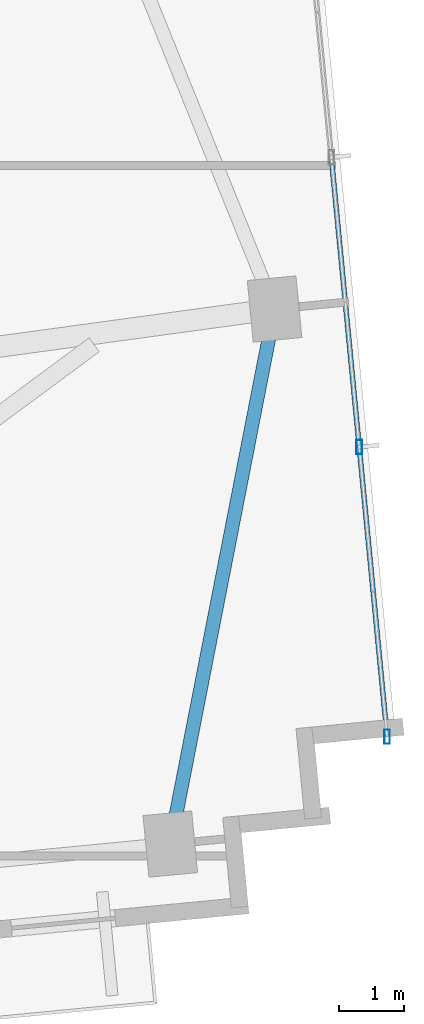
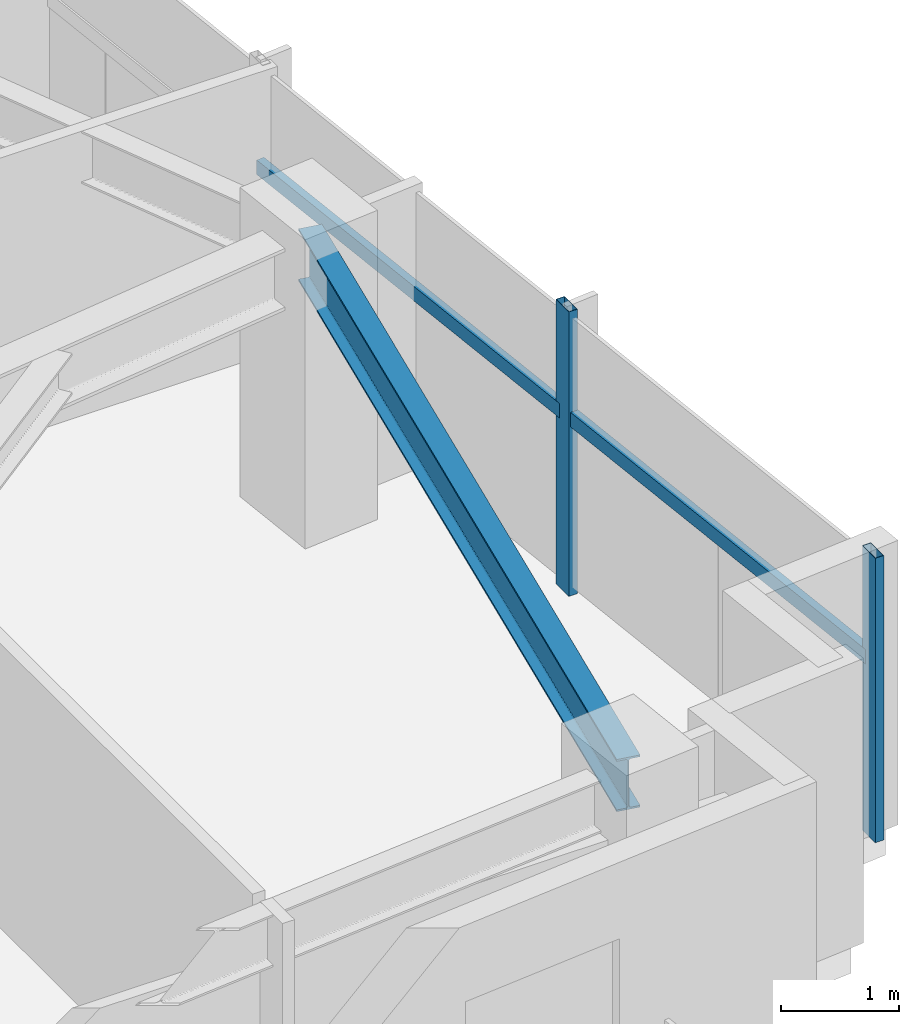
# One storey, part 10 of 18: 4 members, 1 beam, 1 element without a shape of its own.
"""IFC4 building model written with IfcOpenShell, lengths in metres."""

import ifcopenshell
import ifcopenshell.guid

model = None  # the IFC model being written
_history = None  # IfcOwnerHistory: only IFC2X3 demands one
_inside = {}  # id of a spatial element -> (the spatial element, [elements in it])
_under = {}  # id of a project, library or spatial element -> (it, [spatial elements below it])
_declared = {}  # id of a project -> (the project, [libraries it declares])
_typed = {}  # id of a type object -> (the type object, [elements of that type])
_made_of = {}  # id of a material, layer set ... -> (it, [elements and type objects made of it])


def new_model(schema):
    """Start an empty IFC model of exactly this schema.

    Asked for "IFC4X3", IfcOpenShell would pick the latest addendum, in which some entities
    have other attributes; the version numbers below select the first issue.
    IFC2X3 requires an IfcOwnerHistory on every rooted entity: one is made here for all.
    """
    global model, _history
    if schema == "IFC4X3":
        model = ifcopenshell.file(schema_version=(4, 3, 0, 0))
    else:
        model = ifcopenshell.file(schema=schema)
    _inside.clear()
    _under.clear()
    _declared.clear()
    _typed.clear()
    _made_of.clear()
    _history = None
    if model.schema == "IFC2X3":
        org = make("IfcOrganization", Name="unknown")
        user = make(
            "IfcPersonAndOrganization",
            ThePerson=make("IfcPerson", FamilyName="unknown"),
            TheOrganization=org,
        )
        app = make(
            "IfcApplication",
            ApplicationDeveloper=org,
            Version="unknown",
            ApplicationFullName="unknown",
            ApplicationIdentifier="unknown",
        )
        _history = make(
            "IfcOwnerHistory",
            OwningUser=user,
            OwningApplication=app,
            ChangeAction="ADDED",
            CreationDate=0,
        )
    return model


def make(cls, **values):
    """One entity of the class cls with the attributes given. An attribute that is None is left unset."""
    return model.create_entity(
        cls, **{name: value for name, value in values.items() if value is not None}
    )


def rooted(cls, **values):
    """An entity with a GlobalId (a new one), such as an element, a storey or a relation."""
    return make(cls, GlobalId=ifcopenshell.guid.new(), OwnerHistory=_history, **values)


def si_unit(unit_type, name, prefix=None):
    """IfcSIUnit, for example si_unit("LENGTHUNIT", "METRE", prefix="MILLI")."""
    return make("IfcSIUnit", UnitType=unit_type, Prefix=prefix, Name=name)


def assignment(units):
    """IfcUnitAssignment: the units of a project."""
    return None if units is None else make("IfcUnitAssignment", Units=units)


def point(xyz):
    """IfcCartesianPoint."""
    return None if xyz is None else make("IfcCartesianPoint", Coordinates=xyz)


def direction(xyz):
    """IfcDirection."""
    return None if xyz is None else make("IfcDirection", DirectionRatios=xyz)


def frame(location, z_axis=None, x_axis=None):
    """IfcAxis2Placement3D, a coordinate frame: its origin and axes. An axis left out is left unset."""
    return make(
        "IfcAxis2Placement3D",
        Location=point(location),
        Axis=direction(z_axis),
        RefDirection=direction(x_axis),
    )


def frame_2d(location, x_axis=None):
    """IfcAxis2Placement2D, a coordinate frame in the plane: its origin and x axis."""
    return make(
        "IfcAxis2Placement2D", Location=point(location), RefDirection=direction(x_axis)
    )


def origin():
    """The frame at (0, 0, 0) with its axes left unset."""
    return frame((0.0, 0.0, 0.0))


def origin_2d():
    """The frame at (0, 0) in the plane with its x axis left unset."""
    return frame_2d((0.0, 0.0))


def place(relative_to, where):
    """IfcLocalPlacement: puts the frame where relative to a parent placement (None: the world)."""
    return make(
        "IfcLocalPlacement", PlacementRelTo=relative_to, RelativePlacement=where
    )


def context(
    kind, dimensions, precision=None, world=None, true_north=None, identifier=None
):
    """IfcGeometricRepresentationContext, for example the 3D "Model" context."""
    return make(
        "IfcGeometricRepresentationContext",
        ContextIdentifier=identifier,
        ContextType=kind,
        CoordinateSpaceDimension=dimensions,
        Precision=precision,
        WorldCoordinateSystem=world,
        TrueNorth=true_north,
    )


def subcontext(parent, identifier, kind, view, scale=None):
    """IfcGeometricRepresentationSubContext, for example "Body" below "Model"."""
    return make(
        "IfcGeometricRepresentationSubContext",
        ContextIdentifier=identifier,
        ContextType=kind,
        ParentContext=parent,
        TargetScale=scale,
        TargetView=view,
    )


def project(units=None, contexts=None):
    """IfcProject with its units and contexts."""
    return rooted(
        "IfcProject",
        Name="project",
        RepresentationContexts=contexts,
        UnitsInContext=assignment(units),
    )


def spatial(cls, under=None, at=None, **own):
    """A site, building, storey or space (cls), placed at a placement, below another one or the project."""
    s = rooted(cls, ObjectPlacement=at, **own)
    if under is not None:
        _under.setdefault(under.id(), (under, []))[1].append(s)
    return s


def profile(cls, at=None, kind="AREA", **sizes):
    """A parametric profile (cls). Its sizes go by their IFC names, for example OverallWidth=200.0."""
    return make(cls, ProfileType=kind, Position=at, **sizes)


def hollow_rectangle(**sizes):
    """IfcRectangleHollowProfileDef."""
    return profile("IfcRectangleHollowProfileDef", **sizes)


def i_section(**sizes):
    """IfcIShapeProfileDef."""
    return profile("IfcIShapeProfileDef", **sizes)


def extrude(swept, where, along, depth):
    """IfcExtrudedAreaSolid: the profile swept, set in the frame where, extruded along a direction by depth."""
    return make(
        "IfcExtrudedAreaSolid",
        SweptArea=swept,
        Position=where,
        ExtrudedDirection=direction(along),
        Depth=depth,
    )


def shape(context_of_items, identifier, shape_type, items):
    """IfcShapeRepresentation: the items that make up one representation, for example the "Body"."""
    return make(
        "IfcShapeRepresentation",
        ContextOfItems=context_of_items,
        RepresentationIdentifier=identifier,
        RepresentationType=shape_type,
        Items=items,
    )


def source(mapping_origin, context_of_items, identifier, shape_type, items):
    """IfcRepresentationMap: a shape defined once, which mapped items show again and again."""
    return make(
        "IfcRepresentationMap",
        MappingOrigin=mapping_origin,
        MappedRepresentation=shape(context_of_items, identifier, shape_type, items),
    )


def transform(
    local_origin,
    x_axis=None,
    y_axis=None,
    z_axis=None,
    scale=None,
    scale2=None,
    scale3=None,
    uniform=True,
):
    """IfcCartesianTransformationOperator3D, or its non-uniform kind. x_axis, y_axis, z_axis: its Axis1, 2, 3."""
    if uniform:
        return make(
            "IfcCartesianTransformationOperator3D",
            Axis1=direction(x_axis),
            Axis2=direction(y_axis),
            LocalOrigin=point(local_origin),
            Scale=scale,
            Axis3=direction(z_axis),
        )
    return make(
        "IfcCartesianTransformationOperator3DnonUniform",
        Axis1=direction(x_axis),
        Axis2=direction(y_axis),
        LocalOrigin=point(local_origin),
        Scale=scale,
        Axis3=direction(z_axis),
        Scale2=scale2,
        Scale3=scale3,
    )


def mapped(mapping_source, mapping_target):
    """IfcMappedItem: shows the shape of a source again, moved by a transform."""
    return make(
        "IfcMappedItem", MappingSource=mapping_source, MappingTarget=mapping_target
    )


def material(Name=None, Category=None):
    """IfcMaterial."""
    return make("IfcMaterial", Name=Name, Category=Category)


def material_profile(
    of_material, cross_section, Name=None, Category=None, Priority=None
):
    """IfcMaterialProfile: a cross section and its material."""
    return make(
        "IfcMaterialProfile",
        Name=Name,
        Material=of_material,
        Profile=cross_section,
        Priority=Priority,
        Category=Category,
    )


def profile_set(profiles, Name=None, composite=None):
    """IfcMaterialProfileSet."""
    return make(
        "IfcMaterialProfileSet",
        Name=Name,
        MaterialProfiles=profiles,
        CompositeProfile=composite,
    )


def made_of(thing, what):
    """Note that an element or type object is made of a material, layer set ...; save() writes the relation."""
    if what is not None:
        _made_of.setdefault(what.id(), (what, []))[1].append(thing)
    return thing


def type_object(cls, material=None, **own):
    """A type object (cls), such as IfcWallType, which elements share."""
    return made_of(rooted(cls, **own), material)


def type_shapes(of_type, sources):
    """Give a type object the sources (RepresentationMaps) that its elements show as mapped items."""
    of_type.RepresentationMaps = sources


def element(
    cls,
    number,
    at=None,
    inside=None,
    cuts=None,
    type_object=None,
    material=None,
    context=None,
    identifier="Body",
    shape_type=None,
    held_by="IfcProductDefinitionShape",
    body=None,
    shapes=None,
    **own,
):
    """One element of the class cls, such as IfcWall. Its Tag is "e" and its number.

    at: its placement. inside: the storey or other place that contains it. cuts: it is an
    opening in that element (IfcRelVoidsElement). A single representation is given by context,
    identifier, shape_type and body (its items); several are given by shapes. held_by: the class
    of the entity that holds the representations. save() writes the other relations.
    """
    e = rooted(cls, Tag="e%d" % number, ObjectPlacement=at, **own)
    if body is not None:
        shapes = [shape(context, identifier, shape_type, body)]
    if shapes is not None:
        e.Representation = make(held_by, Representations=shapes)
    if inside is not None:
        _inside.setdefault(inside.id(), (inside, []))[1].append(e)
    if cuts is not None:
        rooted(
            "IfcRelVoidsElement", RelatingBuildingElement=cuts, RelatedOpeningElement=e
        )
    if type_object is not None:
        _typed.setdefault(type_object.id(), (type_object, []))[1].append(e)
    return made_of(e, material)


def aggregate(whole, parts):
    """IfcRelAggregates: a whole, such as a stair, and the parts it consists of."""
    return rooted("IfcRelAggregates", RelatingObject=whole, RelatedObjects=parts)


def save(model, path):
    """Write the relations noted so far, then the file.

    IfcRelAggregates (storeys below a building ...), IfcRelContainedInSpatialStructure (elements
    in a storey), IfcRelDefinesByType, IfcRelAssociatesMaterial and IfcRelDeclares: one each for
    every whole, place, type object, material and project.
    """
    for whole, parts in _under.values():
        aggregate(whole, parts)
    for where, things in _inside.values():
        rooted(
            "IfcRelContainedInSpatialStructure",
            RelatedElements=things,
            RelatingStructure=where,
        )
    for kind, things in _typed.values():
        rooted("IfcRelDefinesByType", RelatedObjects=things, RelatingType=kind)
    for what, things in _made_of.values():
        rooted("IfcRelAssociatesMaterial", RelatedObjects=things, RelatingMaterial=what)
    for by, libraries in _declared.values():
        rooted("IfcRelDeclares", RelatingContext=by, RelatedDefinitions=libraries)
    model.write(path)


model = new_model("IFC4")

# Units and contexts
model_context = context("Model", 3, precision=1e-05, world=origin(), true_north=direction((0.0, 1.0)))
body_context = subcontext(model_context, "Body", "Model", "MODEL_VIEW")
ifc_project = project(units=[si_unit("LENGTHUNIT", "METRE"), si_unit("AREAUNIT", "SQUARE_METRE"), si_unit("VOLUMEUNIT", "CUBIC_METRE"), si_unit("PLANEANGLEUNIT", "RADIAN"), si_unit("MASSUNIT", "GRAM", prefix="KILO")], contexts=[model_context])

# Site, building, storey
site_placement = place(None, origin())
site = spatial("IfcSite", under=ifc_project, at=site_placement, CompositionType="ELEMENT")
building_placement = place(site_placement, origin())
building = spatial("IfcBuilding", under=site, at=building_placement, Name="Astriad Promenade Condominiums", CompositionType="ELEMENT")
storey_placement = place(building_placement, frame((0.0, 0.0, 182.60009765625)))
storey = spatial("IfcBuildingStorey", under=building, at=storey_placement, Name="L52", CompositionType="ELEMENT", Elevation=182.60009765625)

# Beam
ifc_material_1 = material(Name="Steel ASTM A992 Grade 50", Category="steel")
ifc_material_profile_1 = material_profile(ifc_material_1, i_section(OverallWidth=0.210693359375, OverallDepth=0.53955078125, WebThickness=0.01171875, FlangeThickness=0.018798828125, FilletRadius=0.0166015625, at=origin_2d()), Name="W21X73")
ifc_profile_set_1 = profile_set([ifc_material_profile_1], Name="Steel ASTM A992 Grade 50")
beam_type = type_object("IfcBeamType", Name="STEEL SPANDREL BEAM W21X73", PredefinedType="SPANDREL", material=ifc_profile_set_1)
shared_shape_1 = source(origin(), body_context, "Body", "SweptSolid", [
    extrude(i_section(OverallWidth=0.210693359375, OverallDepth=0.53955078125, WebThickness=0.01171875, FlangeThickness=0.018798828125, FilletRadius=0.0166015625, at=origin_2d()), origin(), (0.0, 0.0, 1.0), 8.28564453125),
])
type_shapes(beam_type, [shared_shape_1])
beam_placement = place(storey_placement, frame((61.775634765625, 11.6552734375, 2.670166015625), z_axis=(0.191291582099, 0.981533254973, 0.0), x_axis=(-0.981533254973, 0.191291582099, 0.0)))
element("IfcBeam", 1, at=beam_placement, inside=storey, type_object=beam_type, Name="Perimeter Spandrel Beam SP-E1-L52", PredefinedType="SPANDREL", context=body_context, shape_type="MappedRepresentation", body=[
    mapped(shared_shape_1, transform((0.0, 0.0, 0.0), scale=1.0)),
])

# Curtain wall, members
ifc_material_2 = material(Name="Anodised aluminium Black Dark Glass Unitised", Category="aluminium")
curtain_wall_type = type_object("IfcCurtainWallType", Name="CW-B34-DARK", PredefinedType="USERDEFINED", material=ifc_material_2)
curtain_wall_placement = place(storey_placement, origin())
curtain_wall = element("IfcCurtainWall", 2, at=curtain_wall_placement, inside=storey, type_object=curtain_wall_type, Name="CW-L52-E", ObjectType="UNITISED_CURTAIN_WALL", PredefinedType="USERDEFINED")
ifc_material_3 = material(Name="Anodised aluminium 6063-T6 Black", Category="aluminium")
ifc_material_profile_2 = material_profile(ifc_material_3, hollow_rectangle(XDim=0.0849609375, YDim=0.219970703125, WallThickness=0.0048828125, at=origin_2d()), Name="ALU-MUL-85X220")
ifc_profile_set_2 = profile_set([ifc_material_profile_2], Name="Anodised aluminium 6063-T6 Black")
member_type_1 = type_object("IfcMemberType", Name="MUL-ALU-MUL-85X220", PredefinedType="MULLION", material=ifc_profile_set_2)
shared_shape_2 = source(origin(), body_context, "Body", "SweptSolid", [
    extrude(hollow_rectangle(XDim=0.0849609375, YDim=0.219970703125, WallThickness=0.0048828125, at=origin_2d()), origin(), (0.0, 0.0, 1.0), 2.93994140625),
])
type_shapes(member_type_1, [shared_shape_2])
member_1_placement = place(storey_placement, frame((64.667236328125, 17.70849609375, 0.0), z_axis=(0.0, 0.0, 1.0), x_axis=(1.0, 0.0, 0.0)))
member_1 = element("IfcMember", 3, at=member_1_placement, type_object=member_type_1, Name="CW-L52-E-MUL-02", PredefinedType="MULLION", context=body_context, shape_type="MappedRepresentation", body=[
    mapped(shared_shape_2, transform((0.0, 0.0, 0.0), scale=1.0)),
])
member_2_placement = place(storey_placement, frame((65.095458984375, 13.262451171875, 0.0), z_axis=(0.0, 0.0, 1.0), x_axis=(1.0, 0.0, 0.0)))
member_2 = element("IfcMember", 4, at=member_2_placement, type_object=member_type_1, Name="CW-L52-E-MUL-03", PredefinedType="MULLION", context=body_context, shape_type="MappedRepresentation", body=[
    mapped(shared_shape_2, transform((0.0, 0.0, 0.0), scale=1.0)),
])
ifc_material_profile_3 = material_profile(ifc_material_3, hollow_rectangle(XDim=0.074951171875, YDim=0.14990234375, WallThickness=0.004150390625, at=origin_2d()), Name="ALU-TRN-75X150")
ifc_profile_set_3 = profile_set([ifc_material_profile_3], Name="Anodised aluminium 6063-T6 Black")
member_type_2 = type_object("IfcMemberType", Name="TRN-ALU-TRN-75X150", PredefinedType="USERDEFINED", material=ifc_profile_set_3)
shared_shape_3 = source(origin(), body_context, "Body", "SweptSolid", [
    extrude(hollow_rectangle(XDim=0.074951171875, YDim=0.14990234375, WallThickness=0.004150390625, at=origin_2d()), origin(), (0.0, 0.0, 1.0), 4.466552734375),
])
type_shapes(member_type_2, [shared_shape_3])
member_3_placement = place(storey_placement, frame((64.239013671875, 22.154541015625, 1.82275390625), z_axis=(0.095871755514, -0.995393694221, 0.0), x_axis=(0.995393694221, 0.095871755514, 0.0)))
member_3 = element("IfcMember", 5, at=member_3_placement, type_object=member_type_2, Name="CW-L52-E-TRN-01-0", ObjectType="TRANSOM", PredefinedType="USERDEFINED", context=body_context, shape_type="MappedRepresentation", body=[
    mapped(shared_shape_3, transform((0.0, 0.0, 0.0), scale=1.0)),
])
member_4_placement = place(storey_placement, frame((64.667236328125, 17.70849609375, 1.82275390625), z_axis=(0.095871755514, -0.995393694221, 0.0), x_axis=(0.995393694221, 0.095871755514, 0.0)))
member_4 = element("IfcMember", 6, at=member_4_placement, type_object=member_type_2, Name="CW-L52-E-TRN-02-0", ObjectType="TRANSOM", PredefinedType="USERDEFINED", context=body_context, shape_type="MappedRepresentation", body=[
    mapped(shared_shape_3, transform((0.0, 0.0, 0.0), scale=1.0)),
])
aggregate(curtain_wall, [member_1, member_2, member_3, member_4])

save(model, "model.ifc")
